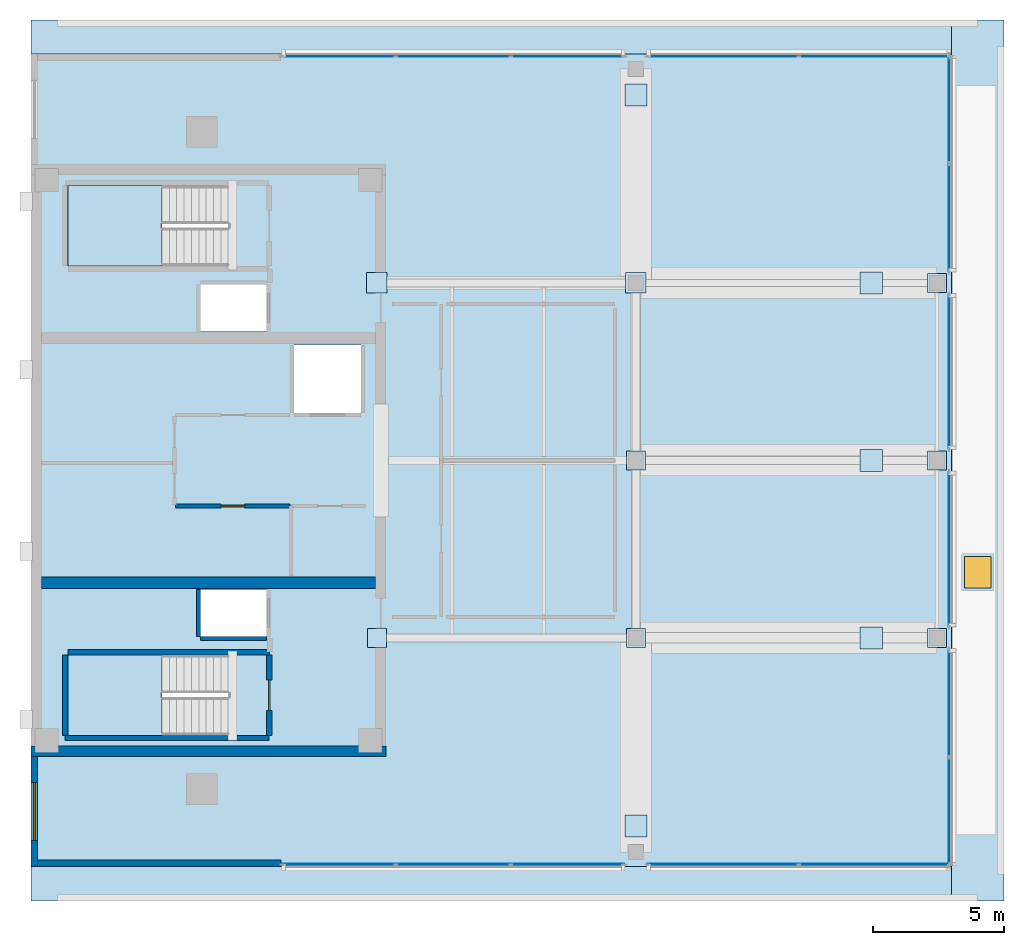
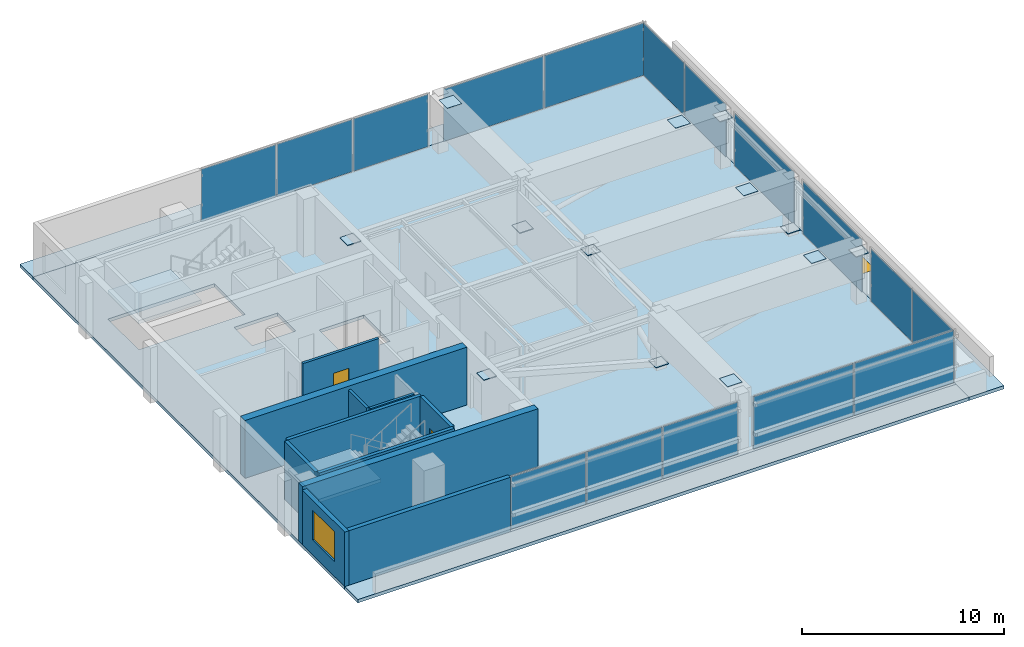
# One storey, part 5 of 11: 29 plates, 11 walls, 6 slabs, 2 doors, 2 windows, 4 openings, 10 elements without a shape of their own.
"""IFC4 building model written with IfcOpenShell, lengths in metres."""

from ifc_helpers import new_model, si_unit, direction, frame, frame_2d, origin, origin_2d, place, context, subcontext, project, spatial, polyline, rectangle, outline, extrude, material, layer, layer_set, type_object, element, fill, aggregate, save


model = new_model("IFC4")

# Units and contexts
model_context = context("Model", 3, precision=1e-05, world=origin(), true_north=direction((0.0, 1.0)))
body_context = subcontext(model_context, "Body", "Model", "MODEL_VIEW")
ifc_project = project(units=[si_unit("LENGTHUNIT", "METRE"), si_unit("AREAUNIT", "SQUARE_METRE"), si_unit("VOLUMEUNIT", "CUBIC_METRE"), si_unit("PLANEANGLEUNIT", "RADIAN"), si_unit("MASSUNIT", "GRAM", prefix="KILO")], contexts=[model_context])

# Site, building, storey
site_placement = place(None, origin())
site = spatial("IfcSite", under=ifc_project, at=site_placement, CompositionType="ELEMENT")
building_placement = place(site_placement, origin())
building = spatial("IfcBuilding", under=site, at=building_placement, Name="Kinhvarn Gate Tower", CompositionType="ELEMENT")
storey_placement = place(building_placement, frame((0.0, 0.0, 307.550048828125)))
storey = spatial("IfcBuildingStorey", under=building, at=storey_placement, Name="L81", CompositionType="ELEMENT", Elevation=307.550048828125)

# Curtain wall, plates
ifc_material_1 = material(Name="Anodised aluminium AW-6063", Category="aluminium")
ifc_layer_1 = layer(ifc_material_1, 0.199951171875)
ifc_layer_set_1 = layer_set([ifc_layer_1], Name="Anodised aluminium AW-6063")
curtain_wall_type = type_object("IfcCurtainWallType", Name="CW-SYS-6", PredefinedType="NOTDEFINED", material=ifc_layer_set_1)
curtain_wall_1_placement = place(storey_placement, origin())
curtain_wall_1 = element("IfcCurtainWall", 1, at=curtain_wall_1_placement, inside=storey, type_object=curtain_wall_type, Name="Curtain Wall CW6 (L81)", PredefinedType="NOTDEFINED")
ifc_material_2 = material(Name="Clear low-e double glazing", Category="glass")
ifc_layer_2 = layer(ifc_material_2, 0.031982421875)
ifc_layer_set_2 = layer_set([ifc_layer_2], Name="Clear low-e double glazing")
plate_type_1 = type_object("IfcPlateType", Name="CW-PNL-VIS", PredefinedType="CURTAIN_PANEL", material=ifc_layer_set_2)
plate_1_placement = place(storey_placement, frame((16.202880859375, 9.889892578125, 0.06494140625), z_axis=(0.0, 0.0, 1.0), x_axis=(1.0, 0.0, 0.0)))
plate_1 = element("IfcPlate", 2, at=plate_1_placement, type_object=plate_type_1, Name="CW6 panel 1.1", PredefinedType="CURTAIN_PANEL", context=body_context, shape_type="SweptSolid", body=[
    extrude(rectangle(XDim=4.27587890625, YDim=0.031982421875, at=origin_2d()), origin(), (0.0, 0.0, 1.0), 3.169921875),
])
plate_2_placement = place(storey_placement, frame((20.56005859375, 9.889892578125, 0.06494140625), z_axis=(0.0, 0.0, 1.0), x_axis=(1.0, 0.0, 0.0)))
plate_2 = element("IfcPlate", 3, at=plate_2_placement, type_object=plate_type_1, Name="CW6 panel 2.1", PredefinedType="CURTAIN_PANEL", context=body_context, shape_type="SweptSolid", body=[
    extrude(rectangle(XDim=4.308349609375, YDim=0.031982421875, at=origin_2d()), origin(), (0.0, 0.0, 1.0), 3.169921875),
])
plate_3_placement = place(storey_placement, frame((24.9169921875, 9.889892578125, 0.06494140625), z_axis=(0.0, 0.0, 1.0), x_axis=(1.0, 0.0, 0.0)))
plate_3 = element("IfcPlate", 4, at=plate_3_placement, type_object=plate_type_1, Name="CW6 panel 3.1", PredefinedType="CURTAIN_PANEL", context=body_context, shape_type="SweptSolid", body=[
    extrude(rectangle(XDim=4.27587890625, YDim=0.031982421875, at=origin_2d()), origin(), (0.0, 0.0, 1.0), 3.169921875),
])
aggregate(curtain_wall_1, [plate_1, plate_2, plate_3])

curtain_wall_2_placement = place(storey_placement, origin())
curtain_wall_2 = element("IfcCurtainWall", 5, at=curtain_wall_2_placement, inside=storey, type_object=curtain_wall_type, Name="Curtain Wall CW6 (L81)", PredefinedType="NOTDEFINED")
plate_4_placement = place(storey_placement, frame((30.80126953125, 9.889892578125, 0.06494140625), z_axis=(0.0, 0.0, 1.0), x_axis=(1.0, 0.0, 0.0)))
plate_4 = element("IfcPlate", 6, at=plate_4_placement, type_object=plate_type_1, Name="CW6 panel 1.1", PredefinedType="CURTAIN_PANEL", context=body_context, shape_type="SweptSolid", body=[
    extrude(rectangle(XDim=5.71240234375, YDim=0.031982421875, at=origin_2d()), origin(), (0.0, 0.0, 1.0), 3.169921875),
])
plate_5_placement = place(storey_placement, frame((36.578857421875, 9.889892578125, 0.06494140625), z_axis=(0.0, 0.0, 1.0), x_axis=(1.0, 0.0, 0.0)))
plate_5 = element("IfcPlate", 7, at=plate_5_placement, type_object=plate_type_1, Name="CW6 panel 2.1", PredefinedType="CURTAIN_PANEL", context=body_context, shape_type="SweptSolid", body=[
    extrude(rectangle(XDim=5.71240234375, YDim=0.031982421875, at=origin_2d()), origin(), (0.0, 0.0, 1.0), 3.169921875),
])
aggregate(curtain_wall_2, [plate_4, plate_5])

curtain_wall_3_placement = place(storey_placement, origin())
curtain_wall_3 = element("IfcCurtainWall", 8, at=curtain_wall_3_placement, inside=storey, type_object=curtain_wall_type, Name="Curtain Wall CW6 (L81)", PredefinedType="NOTDEFINED")
plate_6_placement = place(storey_placement, frame((36.578857421875, 40.610107421875, 0.06494140625), z_axis=(0.0, 0.0, 1.0), x_axis=(-1.0, 0.0, 0.0)))
plate_6 = element("IfcPlate", 9, at=plate_6_placement, type_object=plate_type_1, Name="CW6 panel 1.1", PredefinedType="CURTAIN_PANEL", context=body_context, shape_type="SweptSolid", body=[
    extrude(rectangle(XDim=5.71240234375, YDim=0.031982421875, at=origin_2d()), origin(), (0.0, 0.0, 1.0), 3.169921875),
])
plate_7_placement = place(storey_placement, frame((30.80126953125, 40.610107421875, 0.06494140625), z_axis=(0.0, 0.0, 1.0), x_axis=(-1.0, 0.0, 0.0)))
plate_7 = element("IfcPlate", 10, at=plate_7_placement, type_object=plate_type_1, Name="CW6 panel 2.1", PredefinedType="CURTAIN_PANEL", context=body_context, shape_type="SweptSolid", body=[
    extrude(rectangle(XDim=5.71240234375, YDim=0.031982421875, at=origin_2d()), origin(), (0.0, 0.0, 1.0), 3.169921875),
])
aggregate(curtain_wall_3, [plate_6, plate_7])

curtain_wall_4_placement = place(storey_placement, origin())
curtain_wall_4 = element("IfcCurtainWall", 11, at=curtain_wall_4_placement, inside=storey, type_object=curtain_wall_type, Name="Curtain Wall CW6 (L81)", PredefinedType="NOTDEFINED")
plate_8_placement = place(storey_placement, frame((24.9169921875, 40.610107421875, 0.06494140625), z_axis=(0.0, 0.0, 1.0), x_axis=(-1.0, 0.0, 0.0)))
plate_8 = element("IfcPlate", 12, at=plate_8_placement, type_object=plate_type_1, Name="CW6 panel 1.1", PredefinedType="CURTAIN_PANEL", context=body_context, shape_type="SweptSolid", body=[
    extrude(rectangle(XDim=4.27587890625, YDim=0.031982421875, at=origin_2d()), origin(), (0.0, 0.0, 1.0), 3.169921875),
])
plate_9_placement = place(storey_placement, frame((20.56005859375, 40.610107421875, 0.06494140625), z_axis=(0.0, 0.0, 1.0), x_axis=(-1.0, 0.0, 0.0)))
plate_9 = element("IfcPlate", 13, at=plate_9_placement, type_object=plate_type_1, Name="CW6 panel 2.1", PredefinedType="CURTAIN_PANEL", context=body_context, shape_type="SweptSolid", body=[
    extrude(rectangle(XDim=4.308349609375, YDim=0.031982421875, at=origin_2d()), origin(), (0.0, 0.0, 1.0), 3.169921875),
])
plate_10_placement = place(storey_placement, frame((16.202880859375, 40.610107421875, 0.06494140625), z_axis=(0.0, 0.0, 1.0), x_axis=(-1.0, 0.0, 0.0)))
plate_10 = element("IfcPlate", 14, at=plate_10_placement, type_object=plate_type_1, Name="CW6 panel 3.1", PredefinedType="CURTAIN_PANEL", context=body_context, shape_type="SweptSolid", body=[
    extrude(rectangle(XDim=4.27587890625, YDim=0.031982421875, at=origin_2d()), origin(), (0.0, 0.0, 1.0), 3.169921875),
])
aggregate(curtain_wall_4, [plate_8, plate_9, plate_10])

curtain_wall_5_placement = place(storey_placement, origin())
curtain_wall_5 = element("IfcCurtainWall", 15, at=curtain_wall_5_placement, inside=storey, type_object=curtain_wall_type, Name="Curtain Wall CW6 (L81)", PredefinedType="NOTDEFINED")
plate_11_placement = place(storey_placement, frame((39.409912109375, 11.896240234375, 0.06494140625), z_axis=(0.0, 0.0, 1.0), x_axis=(0.0, 1.0, 0.0)))
plate_11 = element("IfcPlate", 16, at=plate_11_placement, type_object=plate_type_1, Name="CW6 panel 1.1", PredefinedType="CURTAIN_PANEL", context=body_context, shape_type="SweptSolid", body=[
    extrude(rectangle(XDim=4.0625, YDim=0.031982421875, at=origin_2d()), origin(), (0.0, 0.0, 1.0), 3.169921875),
])
plate_12_placement = place(storey_placement, frame((39.409912109375, 16.023681640625, 0.06494140625), z_axis=(0.0, 0.0, 1.0), x_axis=(0.0, 1.0, 0.0)))
plate_12 = element("IfcPlate", 17, at=plate_12_placement, type_object=plate_type_1, Name="CW6 panel 2.1", PredefinedType="CURTAIN_PANEL", context=body_context, shape_type="SweptSolid", body=[
    extrude(rectangle(XDim=4.0625, YDim=0.031982421875, at=origin_2d()), origin(), (0.0, 0.0, 1.0), 3.169921875),
])
aggregate(curtain_wall_5, [plate_11, plate_12])

# Curtain wall, plate
curtain_wall_6_placement = place(storey_placement, origin())
curtain_wall_6 = element("IfcCurtainWall", 18, at=curtain_wall_6_placement, inside=storey, type_object=curtain_wall_type, Name="Curtain Wall CW6 (L81)", PredefinedType="NOTDEFINED")
plate_13_placement = place(storey_placement, frame((39.409912109375, 21.875, 0.06494140625), z_axis=(0.0, 0.0, 1.0), x_axis=(0.0, 1.0, 0.0)))
plate_13 = element("IfcPlate", 19, at=plate_13_placement, type_object=plate_type_1, Name="CW6 panel 1.1", PredefinedType="CURTAIN_PANEL", context=body_context, shape_type="SweptSolid", body=[
    extrude(rectangle(XDim=5.860107421875, YDim=0.031982421875, at=origin_2d()), origin(), (0.0, 0.0, 1.0), 3.169921875),
])
aggregate(curtain_wall_6, [plate_13])

curtain_wall_7_placement = place(storey_placement, origin())
curtain_wall_7 = element("IfcCurtainWall", 20, at=curtain_wall_7_placement, inside=storey, type_object=curtain_wall_type, Name="Curtain Wall CW6 (L81)", PredefinedType="NOTDEFINED")
plate_14_placement = place(storey_placement, frame((39.409912109375, 28.625, 0.06494140625), z_axis=(0.0, 0.0, 1.0), x_axis=(0.0, 1.0, 0.0)))
plate_14 = element("IfcPlate", 21, at=plate_14_placement, type_object=plate_type_1, Name="CW6 panel 1.1", PredefinedType="CURTAIN_PANEL", context=body_context, shape_type="SweptSolid", body=[
    extrude(rectangle(XDim=5.860107421875, YDim=0.031982421875, at=origin_2d()), origin(), (0.0, 0.0, 1.0), 3.169921875),
])
aggregate(curtain_wall_7, [plate_14])

# Curtain wall, plates
curtain_wall_8_placement = place(storey_placement, origin())
curtain_wall_8 = element("IfcCurtainWall", 22, at=curtain_wall_8_placement, inside=storey, type_object=curtain_wall_type, Name="Curtain Wall CW6 (L81)", PredefinedType="NOTDEFINED")
plate_15_placement = place(storey_placement, frame((39.409912109375, 34.476318359375, 0.06494140625), z_axis=(0.0, 0.0, 1.0), x_axis=(0.0, 1.0, 0.0)))
plate_15 = element("IfcPlate", 23, at=plate_15_placement, type_object=plate_type_1, Name="CW6 panel 1.1", PredefinedType="CURTAIN_PANEL", context=body_context, shape_type="SweptSolid", body=[
    extrude(rectangle(XDim=4.0625, YDim=0.031982421875, at=origin_2d()), origin(), (0.0, 0.0, 1.0), 3.169921875),
])
plate_16_placement = place(storey_placement, frame((39.409912109375, 38.603759765625, 0.06494140625), z_axis=(0.0, 0.0, 1.0), x_axis=(0.0, 1.0, 0.0)))
plate_16 = element("IfcPlate", 24, at=plate_16_placement, type_object=plate_type_1, Name="CW6 panel 2.1", PredefinedType="CURTAIN_PANEL", context=body_context, shape_type="SweptSolid", body=[
    extrude(rectangle(XDim=4.0625, YDim=0.031982421875, at=origin_2d()), origin(), (0.0, 0.0, 1.0), 3.169921875),
])
aggregate(curtain_wall_8, [plate_15, plate_16])

# Plates
ifc_material_3 = material(Name="Steel S355", Category="steel")
ifc_layer_3 = layer(ifc_material_3, 0.02392578125)
ifc_layer_set_3 = layer_set([ifc_layer_3], Name="Steel S355")
plate_type_2 = type_object("IfcPlateType", Name="PLT-NODE-CB1", PredefinedType="USERDEFINED", material=ifc_layer_set_3)
plate_17_placement = place(storey_placement, frame((0.0, 0.0, 3.47802734375)))
element("IfcPlate", 25, at=plate_17_placement, inside=storey, type_object=plate_type_2, Name="Structural Node Cap Plate CB1", ObjectType="GUSSET_PLATE", PredefinedType="USERDEFINED", context=body_context, shape_type="SweptSolid", body=[
    extrude(outline(polyline([(36.030029296875, 18.080078125), (36.8701171875, 18.080078125), (36.8701171875, 18.919921875), (36.030029296875, 18.919921875), (36.030029296875, 18.080078125)])), origin(), (0.0, 0.0, 1.0), 0.02392578125),
])
plate_18_placement = place(storey_placement, frame((0.0, 0.0, 3.47802734375)))
element("IfcPlate", 26, at=plate_18_placement, inside=storey, type_object=plate_type_2, Name="Structural Node Cap Plate CB1", ObjectType="GUSSET_PLATE", PredefinedType="USERDEFINED", context=body_context, shape_type="SweptSolid", body=[
    extrude(outline(polyline([(36.030029296875, 24.830078125), (36.8701171875, 24.830078125), (36.8701171875, 25.669921875), (36.030029296875, 25.669921875), (36.030029296875, 24.830078125)])), origin(), (0.0, 0.0, 1.0), 0.02392578125),
])
plate_19_placement = place(storey_placement, frame((0.0, 0.0, 3.47802734375)))
element("IfcPlate", 27, at=plate_19_placement, inside=storey, type_object=plate_type_2, Name="Structural Node Cap Plate CB1", ObjectType="GUSSET_PLATE", PredefinedType="USERDEFINED", context=body_context, shape_type="SweptSolid", body=[
    extrude(outline(polyline([(36.030029296875, 31.580078125), (36.8701171875, 31.580078125), (36.8701171875, 32.419921875), (36.030029296875, 32.419921875), (36.030029296875, 31.580078125)])), origin(), (0.0, 0.0, 1.0), 0.02392578125),
])
plate_20_placement = place(storey_placement, frame((0.0, 0.0, 3.47802734375)))
element("IfcPlate", 28, at=plate_20_placement, inside=storey, type_object=plate_type_2, Name="Structural Node Cap Plate CB1", ObjectType="GUSSET_PLATE", PredefinedType="USERDEFINED", context=body_context, shape_type="SweptSolid", body=[
    extrude(outline(polyline([(27.080078125, 10.929931640625), (27.919921875, 10.929931640625), (27.919921875, 11.77001953125), (27.080078125, 11.77001953125), (27.080078125, 10.929931640625)])), origin(), (0.0, 0.0, 1.0), 0.02392578125),
])
plate_21_placement = place(storey_placement, frame((0.0, 0.0, 3.47802734375)))
element("IfcPlate", 29, at=plate_21_placement, inside=storey, type_object=plate_type_2, Name="Structural Node Cap Plate CB1", ObjectType="GUSSET_PLATE", PredefinedType="USERDEFINED", context=body_context, shape_type="SweptSolid", body=[
    extrude(outline(polyline([(27.080078125, 38.72998046875), (27.919921875, 38.72998046875), (27.919921875, 39.570068359375), (27.080078125, 39.570068359375), (27.080078125, 38.72998046875)])), origin(), (0.0, 0.0, 1.0), 0.02392578125),
])
ifc_layer_4 = layer(ifc_material_3, 0.033935546875)
ifc_layer_set_4 = layer_set([ifc_layer_4], Name="Steel S355")
plate_type_3 = type_object("IfcPlateType", Name="PLT-NODE-KN4", PredefinedType="USERDEFINED", material=ifc_layer_set_4)
plate_22_placement = place(storey_placement, frame((0.0, 0.0, 2.932861328125)))
element("IfcPlate", 30, at=plate_22_placement, inside=storey, type_object=plate_type_3, Name="Structural Node Cap Plate KN4", ObjectType="GUSSET_PLATE", PredefinedType="USERDEFINED", context=body_context, shape_type="SweptSolid", body=[
    extrude(outline(polyline([(17.2900390625, 18.139892578125), (18.010009765625, 18.139892578125), (18.010009765625, 18.860107421875), (17.2900390625, 18.860107421875), (17.2900390625, 18.139892578125)])), origin(), (0.0, 0.0, 1.0), 0.0341796875),
])
plate_23_placement = place(storey_placement, frame((0.0, 0.0, 0.23291015625)))
element("IfcPlate", 31, at=plate_23_placement, inside=storey, type_object=plate_type_3, Name="Structural Node Cap Plate KN4", ObjectType="GUSSET_PLATE", PredefinedType="USERDEFINED", context=body_context, shape_type="SweptSolid", body=[
    extrude(outline(polyline([(27.139892578125, 18.139892578125), (27.860107421875, 18.139892578125), (27.860107421875, 18.860107421875), (27.139892578125, 18.860107421875), (27.139892578125, 18.139892578125)])), origin(), (0.0, 0.0, 1.0), 0.033935546875),
])
plate_24_placement = place(storey_placement, frame((0.0, 0.0, 2.932861328125)))
element("IfcPlate", 32, at=plate_24_placement, inside=storey, type_object=plate_type_3, Name="Structural Node Cap Plate KN4", ObjectType="GUSSET_PLATE", PredefinedType="USERDEFINED", context=body_context, shape_type="SweptSolid", body=[
    extrude(outline(polyline([(38.590087890625, 18.139892578125), (39.31005859375, 18.139892578125), (39.31005859375, 18.860107421875), (38.590087890625, 18.860107421875), (38.590087890625, 18.139892578125)])), origin(), (0.0, 0.0, 1.0), 0.0341796875),
])
plate_25_placement = place(storey_placement, frame((0.0, 0.0, 2.932861328125)))
element("IfcPlate", 33, at=plate_25_placement, inside=storey, type_object=plate_type_3, Name="Structural Node Cap Plate KN4", ObjectType="GUSSET_PLATE", PredefinedType="USERDEFINED", context=body_context, shape_type="SweptSolid", body=[
    extrude(outline(polyline([(17.260009765625, 31.610107421875), (18.0400390625, 31.610107421875), (18.0400390625, 32.389892578125), (17.260009765625, 32.389892578125), (17.260009765625, 31.610107421875)])), origin(), (0.0, 0.0, 1.0), 0.0341796875),
])
plate_26_placement = place(storey_placement, frame((0.0, 0.0, 0.23291015625)))
element("IfcPlate", 34, at=plate_26_placement, inside=storey, type_object=plate_type_3, Name="Structural Node Cap Plate KN4", ObjectType="GUSSET_PLATE", PredefinedType="USERDEFINED", context=body_context, shape_type="SweptSolid", body=[
    extrude(outline(polyline([(27.110107421875, 31.610107421875), (27.889892578125, 31.610107421875), (27.889892578125, 32.389892578125), (27.110107421875, 32.389892578125), (27.110107421875, 31.610107421875)])), origin(), (0.0, 0.0, 1.0), 0.033935546875),
])
plate_27_placement = place(storey_placement, frame((0.0, 0.0, 2.932861328125)))
element("IfcPlate", 35, at=plate_27_placement, inside=storey, type_object=plate_type_3, Name="Structural Node Cap Plate KN4", ObjectType="GUSSET_PLATE", PredefinedType="USERDEFINED", context=body_context, shape_type="SweptSolid", body=[
    extrude(outline(polyline([(38.590087890625, 31.639892578125), (39.31005859375, 31.639892578125), (39.31005859375, 32.360107421875), (38.590087890625, 32.360107421875), (38.590087890625, 31.639892578125)])), origin(), (0.0, 0.0, 1.0), 0.0341796875),
])
plate_28_placement = place(storey_placement, frame((0.0, 0.0, 2.932861328125)))
element("IfcPlate", 36, at=plate_28_placement, inside=storey, type_object=plate_type_3, Name="Structural Node Cap Plate KN4", ObjectType="GUSSET_PLATE", PredefinedType="USERDEFINED", context=body_context, shape_type="SweptSolid", body=[
    extrude(outline(polyline([(27.139892578125, 24.889892578125), (27.860107421875, 24.889892578125), (27.860107421875, 25.610107421875), (27.139892578125, 25.610107421875), (27.139892578125, 24.889892578125)])), origin(), (0.0, 0.0, 1.0), 0.0341796875),
])
plate_29_placement = place(storey_placement, frame((0.0, 0.0, 0.23291015625)))
element("IfcPlate", 37, at=plate_29_placement, inside=storey, type_object=plate_type_3, Name="Structural Node Cap Plate KN4", ObjectType="GUSSET_PLATE", PredefinedType="USERDEFINED", context=body_context, shape_type="SweptSolid", body=[
    extrude(outline(polyline([(38.590087890625, 24.889892578125), (39.31005859375, 24.889892578125), (39.31005859375, 25.610107421875), (38.590087890625, 25.610107421875), (38.590087890625, 24.889892578125)])), origin(), (0.0, 0.0, 1.0), 0.033935546875),
])

# Slab
ifc_material_4 = material(Name="Concrete C40/50", Category="concrete")
ifc_layer_5 = layer(ifc_material_4, 0.199951171875)
ifc_layer_set_5 = layer_set([ifc_layer_5], Name="Concrete C40/50")
slab_type_1 = type_object("IfcSlabType", Name="SLB-FLR-200", PredefinedType="FLOOR", material=ifc_layer_set_5)
slab_1_placement = place(storey_placement, frame((0.0, 0.0, -0.199951171875)))
element("IfcSlab", 38, at=slab_1_placement, inside=storey, type_object=slab_type_1, Name="Suspended Floor Slab L81", PredefinedType="FLOOR", context=body_context, shape_type="SweptSolid", body=[
    extrude(outline(polyline([(4.5, 9.800048828125), (39.5, 9.800048828125), (39.5, 40.699951171875), (4.5, 40.699951171875), (4.5, 9.800048828125)]), holes=[polyline([(5.89990234375, 14.800048828125), (12.0, 14.800048828125), (12.0, 17.85009765625), (5.89990234375, 17.85009765625), (5.89990234375, 14.800048828125)]), polyline([(5.89990234375, 32.64990234375), (12.0, 32.64990234375), (12.0, 35.699951171875), (5.89990234375, 35.699951171875), (5.89990234375, 32.64990234375)]), polyline([(14.5, 27.050048828125), (17.050048828125, 27.050048828125), (17.050048828125, 29.64990234375), (14.5, 29.64990234375), (14.5, 27.050048828125)]), polyline([(10.949951171875, 18.550048828125), (13.449951171875, 18.550048828125), (13.449951171875, 20.35009765625), (10.949951171875, 20.35009765625), (10.949951171875, 18.550048828125)]), polyline([(10.949951171875, 30.14990234375), (13.449951171875, 30.14990234375), (13.449951171875, 31.949951171875), (10.949951171875, 31.949951171875), (10.949951171875, 30.14990234375)])]), origin(), (0.0, 0.0, 1.0), 0.199951171875),
])

# Slab, opening, window
ifc_material_5 = material(Name="Concrete C50/60", Category="concrete")
ifc_layer_6 = layer(ifc_material_5, 0.199951171875)
ifc_layer_set_6 = layer_set([ifc_layer_6], Name="Concrete C50/60")
slab_type_2 = type_object("IfcSlabType", Name="SLB-ROOF-200", PredefinedType="ROOF", material=ifc_layer_set_6)
slab_2_placement = place(storey_placement, frame((0.0, 0.0, -0.199951171875)))
slab_2 = element("IfcSlab", 39, at=slab_2_placement, inside=storey, type_object=slab_type_2, Name="Stepped Crown Ledge Roof Slab L81-E", PredefinedType="ROOF", context=body_context, shape_type="SweptSolid", body=[
    extrude(outline(polyline([(39.5, 8.5), (39.5, 42.0), (41.5, 42.0), (41.5, 8.5), (39.5, 8.5)])), origin(), (0.0, 0.0, 1.0), 0.199951171875),
])
opening_1_placement = place(slab_2_placement, frame((40.5, 21.0, -0.010009765625)))
opening_1 = element("IfcOpeningElement", 40, at=opening_1_placement, cuts=slab_2, Name="Opening RH-01", PredefinedType="OPENING", context=body_context, shape_type="SweptSolid", body=[
    extrude(rectangle(XDim=1.0, YDim=1.199951171875, at=origin_2d()), origin(), (0.0, 0.0, 1.0), 0.219970703125),
])
window_type_1 = type_object("IfcWindowType", Name="WIN-SKL-1200", PartitioningType="SINGLE_PANEL", PredefinedType="SKYLIGHT", material=ifc_material_2)
window_1_placement = place(slab_2_placement, frame((40.5, 21.0, 0.14990234375)))
window_1 = element("IfcWindow", 41, at=window_1_placement, inside=storey, type_object=window_type_1, Name="Crown Ledge Maintenance Skylight Hatch RH-01 (L81)", OverallHeight=1.199951171875, OverallWidth=1.0, PartitioningType="SINGLE_PANEL", PredefinedType="SKYLIGHT", context=body_context, shape_type="SweptSolid", body=[
    extrude(rectangle(XDim=1.0, YDim=1.199951171875, at=origin_2d()), origin(), (0.0, 0.0, 1.0), 0.050048828125),
])
fill(opening_1, window_1)

# Slabs
slab_3_placement = place(storey_placement, frame((0.0, 0.0, -0.199951171875)))
element("IfcSlab", 42, at=slab_3_placement, inside=storey, type_object=slab_type_2, Name="Stepped Crown Ledge Roof Slab L81-S", PredefinedType="ROOF", context=body_context, shape_type="SweptSolid", body=[
    extrude(outline(polyline([(4.5, 8.5), (4.5, 9.800048828125), (39.5, 9.800048828125), (39.5, 8.5), (4.5, 8.5)])), origin(), (0.0, 0.0, 1.0), 0.199951171875),
])
slab_4_placement = place(storey_placement, frame((0.0, 0.0, -0.199951171875)))
element("IfcSlab", 43, at=slab_4_placement, inside=storey, type_object=slab_type_2, Name="Stepped Crown Ledge Roof Slab L81-N", PredefinedType="ROOF", context=body_context, shape_type="SweptSolid", body=[
    extrude(outline(polyline([(39.5, 42.0), (39.5, 40.699951171875), (4.5, 40.699951171875), (4.5, 42.0), (39.5, 42.0)])), origin(), (0.0, 0.0, 1.0), 0.199951171875),
])

# Stair, slab
stair_type = type_object("IfcStairType", Name="STR-DLG-175", PredefinedType="HALF_TURN_STAIR", material=ifc_material_4)
stair_1_placement = place(storey_placement, origin())
stair_1 = element("IfcStair", 44, at=stair_1_placement, inside=storey, type_object=stair_type, Name="L81 Core Smokeproof Exit Stair ST1", PredefinedType="HALF_TURN_STAIR")
ifc_layer_7 = layer(ifc_material_4, 0.199951171875)
ifc_layer_set_7 = layer_set([ifc_layer_7], Name="Concrete C40/50")
slab_type_3 = type_object("IfcSlabType", Name="SLB-ST-LND", PredefinedType="LANDING", material=ifc_layer_set_7)
slab_5_placement = place(storey_placement, frame((0.0, 0.0, 1.550048828125)))
slab_5 = element("IfcSlab", 45, at=slab_5_placement, type_object=slab_type_3, Name="ST1 landing 1", PredefinedType="LANDING", context=body_context, shape_type="SweptSolid", body=[
    extrude(outline(polyline([(9.47998046875, 17.85009765625), (5.89990234375, 17.85009765625), (5.89990234375, 14.800048828125), (9.47998046875, 14.800048828125), (9.47998046875, 17.85009765625)])), origin(), (0.0, 0.0, 1.0), 0.199951171875),
])
aggregate(stair_1, [slab_5])

stair_2_placement = place(storey_placement, origin())
stair_2 = element("IfcStair", 46, at=stair_2_placement, inside=storey, type_object=stair_type, Name="L81 Core Smokeproof Exit Stair ST2", PredefinedType="HALF_TURN_STAIR")
slab_6_placement = place(storey_placement, frame((0.0, 0.0, 1.550048828125)))
slab_6 = element("IfcSlab", 47, at=slab_6_placement, type_object=slab_type_3, Name="ST2 landing 1", PredefinedType="LANDING", context=body_context, shape_type="SweptSolid", body=[
    extrude(outline(polyline([(9.47998046875, 35.699951171875), (5.89990234375, 35.699951171875), (5.89990234375, 32.64990234375), (9.47998046875, 32.64990234375), (9.47998046875, 35.699951171875)])), origin(), (0.0, 0.0, 1.0), 0.199951171875),
])
aggregate(stair_2, [slab_6])

# Walls
ifc_layer_8 = layer(ifc_material_5, 0.39990234375)
ifc_layer_set_8 = layer_set([ifc_layer_8], Name="Concrete C50/60")
wall_type_1 = type_object("IfcWallType", Name="WL-CORE-400", PredefinedType="SHEAR", material=ifc_layer_set_8)
wall_1_placement = place(storey_placement, frame((4.5, 14.199951171875, 0.0), z_axis=(0.0, 0.0, 1.0), x_axis=(1.0, 0.0, 0.0)))
element("IfcWall", 48, at=wall_1_placement, inside=storey, type_object=wall_type_1, Name="Core South Shear Wall L81 400 mm", PredefinedType="SHEAR", context=body_context, shape_type="SweptSolid", body=[
    extrude(rectangle(XDim=13.5, YDim=0.39990234375, at=frame_2d((6.75, 0.0))), origin(), (0.0, 0.0, 1.0), 3.5),
])
ifc_layer_9 = layer(ifc_material_5, 0.449951171875)
ifc_layer_set_9 = layer_set([ifc_layer_9], Name="Concrete C50/60")
wall_type_2 = type_object("IfcWallType", Name="WL-CORE-450", PredefinedType="SHEAR", material=ifc_layer_set_9)
wall_2_placement = place(storey_placement, frame((4.89990234375, 20.60009765625, 0.0), z_axis=(0.0, 0.0, 1.0), x_axis=(1.0, 0.0, 0.0)))
element("IfcWall", 49, at=wall_2_placement, inside=storey, type_object=wall_type_2, Name="Core South Spine Shear Wall L81 450 mm", PredefinedType="SHEAR", context=body_context, shape_type="SweptSolid", body=[
    extrude(rectangle(XDim=12.7001953125, YDim=0.449951171875, at=frame_2d((6.35009765625, 0.0))), origin(), (0.0, 0.0, 1.0), 3.5),
])

# Wall, opening, window
ifc_material_6 = material(Name="Fired architectural terracotta", Category="masonry")
ifc_layer_10 = layer(ifc_material_6, 0.25)
ifc_layer_set_10 = layer_set([ifc_layer_10], Name="Fired architectural terracotta")
wall_type_3 = type_object("IfcWallType", Name="WL-EXT-250", PredefinedType="SOLIDWALL", material=ifc_layer_set_10)
wall_3_placement = place(storey_placement, frame((4.625, 14.0, 0.0), z_axis=(0.0, 0.0, 1.0), x_axis=(0.0, -1.0, 0.0)))
wall_3 = element("IfcWall", 50, at=wall_3_placement, inside=storey, type_object=wall_type_3, Name="Exterior Solidwall Wall EW-250 (L81 West-South)", PredefinedType="SOLIDWALL", context=body_context, shape_type="SweptSolid", body=[
    extrude(rectangle(XDim=4.199951171875, YDim=0.25, at=frame_2d((2.10009765625, 0.0))), origin(), (0.0, 0.0, 1.0), 3.300048828125),
])
opening_2_placement = place(wall_3_placement, frame((1.0, 0.0, 0.89990234375)))
opening_2 = element("IfcOpeningElement", 51, at=opening_2_placement, cuts=wall_3, Name="Opening WN-01", PredefinedType="OPENING", context=body_context, shape_type="SweptSolid", body=[
    extrude(rectangle(XDim=2.199951171875, YDim=1.800048828125, at=frame_2d((1.10009765625, 0.89990234375))), frame((0.0, 0.135009765625, 0.0), z_axis=(0.0, -1.0, 0.0), x_axis=(1.0, 0.0, 0.0)), (0.0, 0.0, 1.0), 0.27001953125),
])
window_type_2 = type_object("IfcWindowType", Name="WIN-RIB-2200", PartitioningType="SINGLE_PANEL", PredefinedType="WINDOW", material=ifc_material_2)
window_2_placement = place(opening_2_placement, origin())
window_2 = element("IfcWindow", 52, at=window_2_placement, inside=storey, type_object=window_type_2, Name="West Flank Double-Glazed Ribbon Window 2200x1800 mm (L81)", OverallHeight=1.800048828125, OverallWidth=2.199951171875, PartitioningType="SINGLE_PANEL", PredefinedType="WINDOW", context=body_context, shape_type="SweptSolid", body=[
    extrude(rectangle(XDim=2.199951171875, YDim=1.800048828125, at=frame_2d((1.10009765625, 0.89990234375))), frame((0.0, 0.030029296875, 0.0), z_axis=(0.0, -1.0, 0.0), x_axis=(1.0, 0.0, 0.0)), (0.0, 0.0, 1.0), 0.06005859375),
])
fill(opening_2, window_2)

# Wall
wall_4_placement = place(storey_placement, frame((4.5, 9.925048828125, 0.0), z_axis=(0.0, 0.0, 1.0), x_axis=(1.0, 0.0, 0.0)))
element("IfcWall", 53, at=wall_4_placement, inside=storey, type_object=wall_type_3, Name="Exterior Solidwall Wall EW-250 (L81 Crown-Core-S)", PredefinedType="SOLIDWALL", context=body_context, shape_type="SweptSolid", body=[
    extrude(rectangle(XDim=9.5, YDim=0.25, at=frame_2d((4.75, 0.0))), origin(), (0.0, 0.0, 1.0), 3.300048828125),
])

# Wall, opening, door
ifc_material_7 = material(Name="Gypsum acoustic partition board")
ifc_layer_11 = layer(ifc_material_7, 0.14990234375)
ifc_layer_set_11 = layer_set([ifc_layer_11], Name="Gypsum acoustic partition board")
wall_type_4 = type_object("IfcWallType", Name="WL-PRT-150F", PredefinedType="PARTITIONING", material=ifc_layer_set_11)
wall_5_placement = place(storey_placement, frame((10.0, 23.52001953125, 0.0), z_axis=(0.0, 0.0, 1.0), x_axis=(1.0, 0.0, 0.0)))
wall_5 = element("IfcWall", 54, at=wall_5_placement, inside=storey, type_object=wall_type_4, Name="Interior Partition PW-150F (L81)", PredefinedType="PARTITIONING", context=body_context, shape_type="SweptSolid", body=[
    extrude(rectangle(XDim=4.35009765625, YDim=0.14990234375, at=frame_2d((2.175048828125, 0.0))), origin(), (0.0, 0.0, 1.0), 3.300048828125),
])
opening_3_placement = place(wall_5_placement, frame((1.72509765625, 0.0, 0.0)))
opening_3 = element("IfcOpeningElement", 55, at=opening_3_placement, cuts=wall_5, Name="Opening FD-04", PredefinedType="OPENING", context=body_context, shape_type="SweptSolid", body=[
    extrude(rectangle(XDim=0.89990234375, YDim=2.10009765625, at=frame_2d((0.449951171875, 1.050048828125))), frame((0.0, 0.0849609375, 0.0), z_axis=(0.0, -1.0, 0.0), x_axis=(1.0, 0.0, 0.0)), (0.0, 0.0, 1.0), 0.169921875),
])
door_type_1 = type_object("IfcDoorType", Name="DR-FD-900", OperationType="NOTDEFINED", PredefinedType="DOOR", material=ifc_material_1)
door_1_placement = place(opening_3_placement, origin())
door_1 = element("IfcDoor", 56, at=door_1_placement, inside=storey, type_object=door_type_1, Name="Rated Riser & Service Closet Fire Door 900x2100 mm (L81)", OperationType="SINGLE_SWING_LEFT", OverallHeight=2.10009765625, OverallWidth=0.89990234375, PredefinedType="DOOR", context=body_context, shape_type="SweptSolid", body=[
    extrude(rectangle(XDim=0.89990234375, YDim=2.10009765625, at=frame_2d((0.449951171875, 1.050048828125))), frame((0.0, 0.02490234375, 0.0), z_axis=(0.0, -1.0, 0.0), x_axis=(1.0, 0.0, 0.0)), (0.0, 0.0, 1.0), 0.050048828125),
])
fill(opening_3, door_1)

# Walls
ifc_layer_12 = layer(ifc_material_7, 0.14990234375)
ifc_layer_set_12 = layer_set([ifc_layer_12], Name="Gypsum acoustic partition board")
wall_type_5 = type_object("IfcWallType", Name="WL-SHF-150", PredefinedType="PARTITIONING", material=ifc_layer_set_12)
wall_6_placement = place(storey_placement, frame((10.949951171875, 18.47509765625, 0.0), z_axis=(0.0, 0.0, 1.0), x_axis=(1.0, 0.0, 0.0)))
element("IfcWall", 57, at=wall_6_placement, inside=storey, type_object=wall_type_5, Name="Elevator FF1 Hoistway Wall S (L81)", PredefinedType="PARTITIONING", context=body_context, shape_type="SweptSolid", body=[
    extrude(rectangle(XDim=2.5, YDim=0.14990234375, at=frame_2d((1.25, 0.0))), origin(), (0.0, 0.0, 1.0), 3.300048828125),
])
wall_7_placement = place(storey_placement, frame((10.875, 18.550048828125, 0.0), z_axis=(0.0, 0.0, 1.0), x_axis=(0.0, 1.0, 0.0)))
element("IfcWall", 58, at=wall_7_placement, inside=storey, type_object=wall_type_5, Name="Elevator FF1 Hoistway Wall W (L81)", PredefinedType="PARTITIONING", context=body_context, shape_type="SweptSolid", body=[
    extrude(rectangle(XDim=1.800048828125, YDim=0.14990234375, at=frame_2d((0.89990234375, 0.0))), origin(), (0.0, 0.0, 1.0), 3.300048828125),
])
ifc_layer_13 = layer(ifc_material_4, 0.199951171875)
ifc_layer_set_13 = layer_set([ifc_layer_13], Name="Concrete C40/50")
wall_type_6 = type_object("IfcWallType", Name="WL-SHF-200", PredefinedType="SOLIDWALL", material=ifc_layer_set_13)
wall_8_placement = place(storey_placement, frame((5.800048828125, 14.699951171875, 0.0), z_axis=(0.0, 0.0, 1.0), x_axis=(1.0, 0.0, 0.0)))
element("IfcWall", 59, at=wall_8_placement, inside=storey, type_object=wall_type_6, Name="Stair ST1 South Shaft Wall (L81)", PredefinedType="SOLIDWALL", context=body_context, shape_type="SweptSolid", body=[
    extrude(rectangle(XDim=7.75, YDim=0.199951171875, at=frame_2d((3.875, 0.0))), origin(), (0.0, 0.0, 1.0), 3.5),
])
wall_9_placement = place(storey_placement, frame((5.7900390625, 14.800048828125, 0.0), z_axis=(0.0, 0.0, 1.0), x_axis=(0.0, 1.0, 0.0)))
element("IfcWall", 60, at=wall_9_placement, inside=storey, type_object=wall_type_6, Name="Stair ST1 West Shaft Wall (L81)", PredefinedType="SOLIDWALL", context=body_context, shape_type="SweptSolid", body=[
    extrude(rectangle(XDim=3.050048828125, YDim=0.199951171875, at=frame_2d((1.52490234375, 0.0))), origin(), (0.0, 0.0, 1.0), 3.5),
])
wall_10_placement = place(storey_placement, frame((5.89990234375, 17.9599609375, 0.0), z_axis=(0.0, 0.0, 1.0), x_axis=(1.0, 0.0, 0.0)))
element("IfcWall", 61, at=wall_10_placement, inside=storey, type_object=wall_type_6, Name="Stair ST1 North Shaft Wall (L81)", PredefinedType="SOLIDWALL", context=body_context, shape_type="SweptSolid", body=[
    extrude(rectangle(XDim=7.66015625, YDim=0.199951171875, at=frame_2d((3.830078125, 0.0))), origin(), (0.0, 0.0, 1.0), 3.5),
])

# Wall, opening, door
wall_11_placement = place(storey_placement, frame((13.56005859375, 14.800048828125, 0.0), z_axis=(0.0, 0.0, 1.0), x_axis=(0.0, 1.0, 0.0)))
wall_11 = element("IfcWall", 62, at=wall_11_placement, inside=storey, type_object=wall_type_6, Name="Stair ST1 East Entry Wall (L81)", PredefinedType="SOLIDWALL", context=body_context, shape_type="SweptSolid", body=[
    extrude(rectangle(XDim=3.050048828125, YDim=0.199951171875, at=frame_2d((1.52490234375, 0.0))), origin(), (0.0, 0.0, 1.0), 3.5),
])
opening_4_placement = place(wall_11_placement, frame((0.949951171875, 0.0, 0.0)))
opening_4 = element("IfcOpeningElement", 63, at=opening_4_placement, cuts=wall_11, Name="Opening FD-01", PredefinedType="OPENING", context=body_context, shape_type="SweptSolid", body=[
    extrude(rectangle(XDim=1.14990234375, YDim=2.14990234375, at=frame_2d((0.574951171875, 1.074951171875))), frame((0.0, 0.10986328125, 0.0), z_axis=(0.0, -1.0, 0.0), x_axis=(1.0, 0.0, 0.0)), (0.0, 0.0, 1.0), 0.219970703125),
])
door_type_2 = type_object("IfcDoorType", Name="DR-ST-1150", OperationType="NOTDEFINED", PredefinedType="DOOR", material=ifc_material_1)
door_2_placement = place(opening_4_placement, origin())
door_2 = element("IfcDoor", 64, at=door_2_placement, inside=storey, type_object=door_type_2, Name="Exit Stair ST1 Fire Door (L81)", OperationType="SINGLE_SWING_LEFT", OverallHeight=2.14990234375, OverallWidth=1.14990234375, PredefinedType="DOOR", context=body_context, shape_type="SweptSolid", body=[
    extrude(rectangle(XDim=1.14990234375, YDim=2.14990234375, at=frame_2d((0.574951171875, 1.074951171875))), frame((0.0, 0.02490234375, 0.0), z_axis=(0.0, -1.0, 0.0), x_axis=(1.0, 0.0, 0.0)), (0.0, 0.0, 1.0), 0.050048828125),
])
fill(opening_4, door_2)

save(model, "model.ifc")
